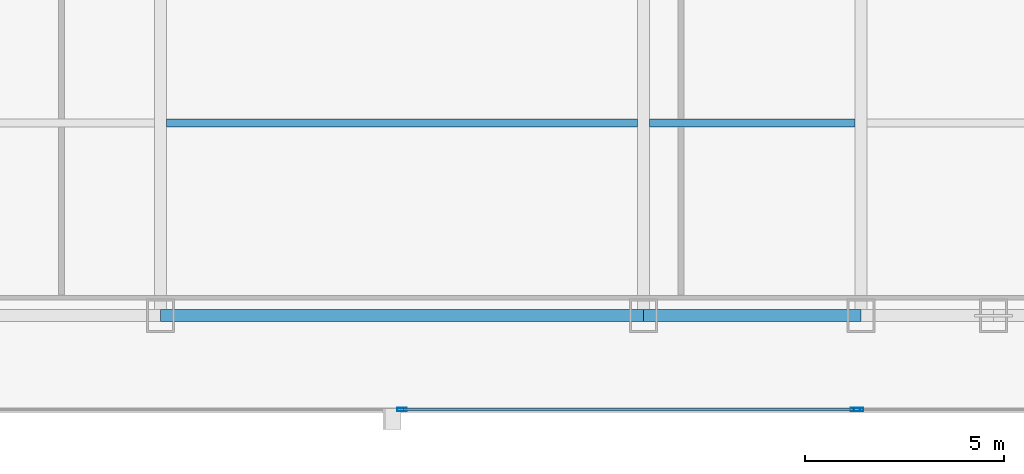
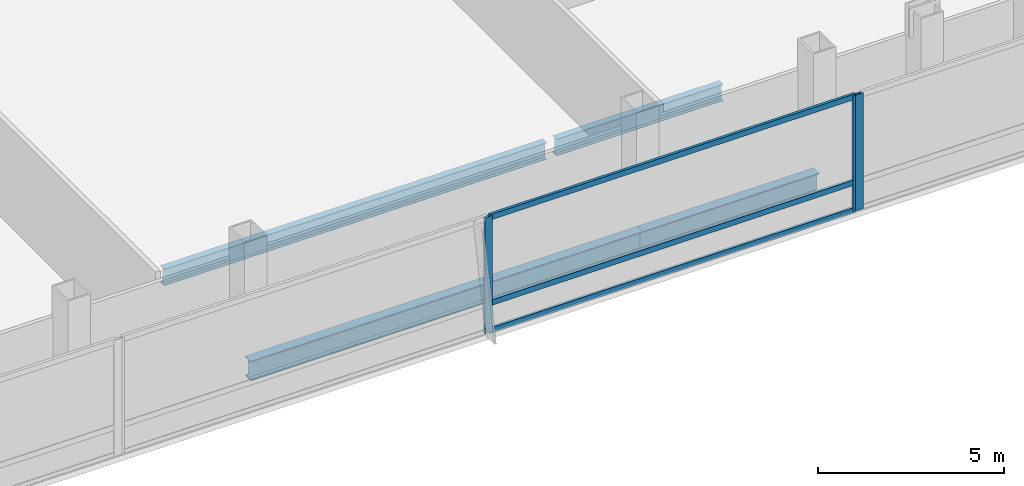
# One storey, part 13 of 34: 6 members, 4 beams, 2 elements without a shape of their own.
"""IFC4 building model written with IfcOpenShell, lengths in metres."""

from ifc_helpers import new_model, si_unit, direction, frame, origin, origin_2d, place, context, subcontext, project, spatial, hollow_rectangle, i_section, extrude, material, material_profile, profile_set, type_object, element, aggregate, save


model = new_model("IFC4")

# Units and contexts
model_context = context("Model", 3, precision=1e-05, world=origin(), true_north=direction((0.0, 1.0)))
body_context = subcontext(model_context, "Body", "Model", "MODEL_VIEW")
ifc_project = project(units=[si_unit("LENGTHUNIT", "METRE"), si_unit("AREAUNIT", "SQUARE_METRE"), si_unit("VOLUMEUNIT", "CUBIC_METRE"), si_unit("PLANEANGLEUNIT", "RADIAN"), si_unit("MASSUNIT", "GRAM", prefix="KILO")], contexts=[model_context])

# Site, building, storey
site_placement = place(None, origin())
site = spatial("IfcSite", under=ifc_project, at=site_placement, CompositionType="ELEMENT")
building_placement = place(site_placement, origin())
building = spatial("IfcBuilding", under=site, at=building_placement, Name="Khoronbel Lancet Exchange", CompositionType="ELEMENT")
storey_placement = place(building_placement, frame((0.0, 0.0, 102.60009765625)))
storey = spatial("IfcBuildingStorey", under=building, at=storey_placement, Name="L24", CompositionType="ELEMENT", Elevation=102.60009765625)

# Beams
ifc_material_1 = material(Name="Steel S355", Category="steel")
ifc_material_profile_1 = material_profile(ifc_material_1, i_section(OverallWidth=0.2099609375, OverallDepth=0.550048828125, WebThickness=0.010986328125, FlangeThickness=0.01708984375, at=origin_2d()), Name="IPE 550")
ifc_profile_set_1 = profile_set([ifc_material_profile_1], Name="Steel S355")
beam_type_1 = type_object("IfcBeamType", Name="BM-BJ2", PredefinedType="JOIST", material=ifc_profile_set_1)
beam_1_placement = place(storey_placement, frame((30.52490234375, 15.0, -0.455078125), z_axis=(1.0, 0.0, 0.0), x_axis=(0.0, 1.0, 0.0)))
element("IfcBeam", 1, at=beam_1_placement, inside=storey, type_object=beam_type_1, Name="Level L24 secondary composite joist J03", PredefinedType="JOIST", context=body_context, shape_type="SweptSolid", body=[
    extrude(i_section(OverallWidth=0.2099609375, OverallDepth=0.550048828125, WebThickness=0.010986328125, FlangeThickness=0.01708984375, at=origin_2d()), origin(), (0.0, 0.0, 1.0), 11.85009765625),
])
beam_2_placement = place(storey_placement, frame((42.675048828125, 15.0, -0.455078125), z_axis=(1.0, 0.0, 0.0), x_axis=(0.0, 1.0, 0.0)))
element("IfcBeam", 2, at=beam_2_placement, inside=storey, type_object=beam_type_1, Name="Level L24 secondary composite joist J04", PredefinedType="JOIST", context=body_context, shape_type="SweptSolid", body=[
    extrude(i_section(OverallWidth=0.2099609375, OverallDepth=0.550048828125, WebThickness=0.010986328125, FlangeThickness=0.01708984375, at=origin_2d()), origin(), (0.0, 0.0, 1.0), 5.175048828125),
])
ifc_material_profile_2 = material_profile(ifc_material_1, i_section(OverallWidth=0.300048828125, OverallDepth=0.64990234375, WebThickness=0.01611328125, FlangeThickness=0.031005859375, at=origin_2d()), Name="HEB 650")
ifc_profile_set_2 = profile_set([ifc_material_profile_2], Name="Steel S355")
beam_type_2 = type_object("IfcBeamType", Name="BM-BSP1", PredefinedType="SPANDREL", material=ifc_profile_set_2)
beam_3_placement = place(storey_placement, frame((30.375, 10.14990234375, -0.505126953125), z_axis=(1.0, 0.0, 0.0), x_axis=(0.0, 1.0, 0.0)))
element("IfcBeam", 3, at=beam_3_placement, inside=storey, type_object=beam_type_2, Name="Level L24 perimeter spandrel beam SP05", PredefinedType="SPANDREL", context=body_context, shape_type="SweptSolid", body=[
    extrude(i_section(OverallWidth=0.300048828125, OverallDepth=0.64990234375, WebThickness=0.01611328125, FlangeThickness=0.031005859375, at=origin_2d()), origin(), (0.0, 0.0, 1.0), 12.14990234375),
])
beam_4_placement = place(storey_placement, frame((42.52490234375, 10.14990234375, -0.505126953125), z_axis=(1.0, 0.0, 0.0), x_axis=(0.0, 1.0, 0.0)))
element("IfcBeam", 4, at=beam_4_placement, inside=storey, type_object=beam_type_2, Name="Level L24 perimeter spandrel beam SP06", PredefinedType="SPANDREL", context=body_context, shape_type="SweptSolid", body=[
    extrude(i_section(OverallWidth=0.300048828125, OverallDepth=0.64990234375, WebThickness=0.01611328125, FlangeThickness=0.031005859375, at=origin_2d()), origin(), (0.0, 0.0, 1.0), 5.47509765625),
])

# Curtain wall, members
ifc_material_2 = material(Name="Low-E Solar Control Insulating Glass", Category="glass")
curtain_wall_type = type_object("IfcCurtainWallType", Name="CW-2", PredefinedType="NOTDEFINED", material=ifc_material_2)
curtain_wall_1_placement = place(storey_placement, origin())
curtain_wall_1 = element("IfcCurtainWall", 5, at=curtain_wall_1_placement, inside=storey, type_object=curtain_wall_type, Name="Unitised curtain wall CW-L24-SCV", PredefinedType="NOTDEFINED")
ifc_material_3 = material(Name="Bronze-Anodised Aluminium 6063-T6", Category="aluminium")
ifc_material_profile_3 = material_profile(ifc_material_3, hollow_rectangle(XDim=0.0849609375, YDim=0.239990234375, WallThickness=0.006103515625, at=origin_2d()), Name="ALU MULLION 85x240")
ifc_profile_set_3 = profile_set([ifc_material_profile_3], Name="Bronze-Anodised Aluminium 6063-T6")
member_type_1 = type_object("IfcMemberType", Name="MEM-CWM1", PredefinedType="MULLION", material=ifc_profile_set_3)
member_1_placement = place(storey_placement, frame((36.449951171875, 7.7900390625, 0.0), z_axis=(0.0, 0.0, 1.0), x_axis=(0.0, 1.0, 0.0)))
member_1 = element("IfcMember", 6, at=member_1_placement, type_object=member_type_1, Name="CW2 mullion 2", PredefinedType="MULLION", context=body_context, shape_type="SweptSolid", body=[
    extrude(hollow_rectangle(XDim=0.0849609375, YDim=0.239990234375, WallThickness=0.006103515625, at=origin_2d()), origin(), (0.0, 0.0, 1.0), 3.7998046875),
])
member_2_placement = place(storey_placement, frame((47.857421875, 7.7900390625, 0.0), z_axis=(0.0, 0.0, 1.0), x_axis=(0.0, 1.0, 0.0)))
member_2 = element("IfcMember", 7, at=member_2_placement, type_object=member_type_1, Name="CW2 mullion 3", PredefinedType="MULLION", context=body_context, shape_type="SweptSolid", body=[
    extrude(hollow_rectangle(XDim=0.0849609375, YDim=0.239990234375, WallThickness=0.006103515625, at=origin_2d()), origin(), (0.0, 0.0, 1.0), 3.7998046875),
])

# Curtain wall, member
curtain_wall_2_placement = place(storey_placement, origin())
curtain_wall_2 = element("IfcCurtainWall", 8, at=curtain_wall_2_placement, inside=storey, type_object=curtain_wall_type, Name="Unitised curtain wall CW-L24-SEB", PredefinedType="NOTDEFINED")
member_3_placement = place(storey_placement, frame((47.9423828125, 7.7900390625, 0.0), z_axis=(0.0, 0.0, 1.0), x_axis=(0.0, 1.0, 0.0)))
member_3 = element("IfcMember", 9, at=member_3_placement, type_object=member_type_1, Name="CW2 mullion 1", PredefinedType="MULLION", context=body_context, shape_type="SweptSolid", body=[
    extrude(hollow_rectangle(XDim=0.0849609375, YDim=0.239990234375, WallThickness=0.006103515625, at=origin_2d()), origin(), (0.0, 0.0, 1.0), 3.7998046875),
])
aggregate(curtain_wall_2, [member_3])

# Member
ifc_material_profile_4 = material_profile(ifc_material_3, hollow_rectangle(XDim=0.0849609375, YDim=0.179931640625, WallThickness=0.0048828125, at=origin_2d()), Name="ALU TRANSOM 85x180")
ifc_profile_set_4 = profile_set([ifc_material_profile_4], Name="Bronze-Anodised Aluminium 6063-T6")
member_type_2 = type_object("IfcMemberType", Name="MEM-CWT1", PredefinedType="USERDEFINED", material=ifc_profile_set_4)
member_4_placement = place(storey_placement, frame((36.492431640625, 7.7900390625, 0.04248046875), z_axis=(1.0, 0.0, 0.0), x_axis=(0.0, 1.0, 0.0)))
member_4 = element("IfcMember", 10, at=member_4_placement, type_object=member_type_2, Name="CW2 transom 2.1", ObjectType="TRANSOM", PredefinedType="USERDEFINED", context=body_context, shape_type="SweptSolid", body=[
    extrude(hollow_rectangle(XDim=0.0849609375, YDim=0.179931640625, WallThickness=0.0048828125, at=origin_2d()), origin(), (0.0, 0.0, 1.0), 11.322509765625),
])

member_5_placement = place(storey_placement, frame((36.492431640625, 7.7900390625, 0.949951171875), z_axis=(1.0, 0.0, 0.0), x_axis=(0.0, 1.0, 0.0)))
member_5 = element("IfcMember", 11, at=member_5_placement, type_object=member_type_2, Name="CW2 transom 2.2", ObjectType="TRANSOM", PredefinedType="USERDEFINED", context=body_context, shape_type="SweptSolid", body=[
    extrude(hollow_rectangle(XDim=0.0849609375, YDim=0.179931640625, WallThickness=0.0048828125, at=origin_2d()), origin(), (0.0, 0.0, 1.0), 11.322509765625),
])

member_6_placement = place(storey_placement, frame((36.492431640625, 7.7900390625, 3.75732421875), z_axis=(1.0, 0.0, 0.0), x_axis=(0.0, 1.0, 0.0)))
member_6 = element("IfcMember", 12, at=member_6_placement, type_object=member_type_2, Name="CW2 transom 2.3", ObjectType="TRANSOM", PredefinedType="USERDEFINED", context=body_context, shape_type="SweptSolid", body=[
    extrude(hollow_rectangle(XDim=0.0849609375, YDim=0.179931640625, WallThickness=0.0048828125, at=origin_2d()), origin(), (0.0, 0.0, 1.0), 11.322509765625),
])

aggregate(curtain_wall_1, [member_1, member_2, member_4, member_5, member_6])

save(model, "model.ifc")
